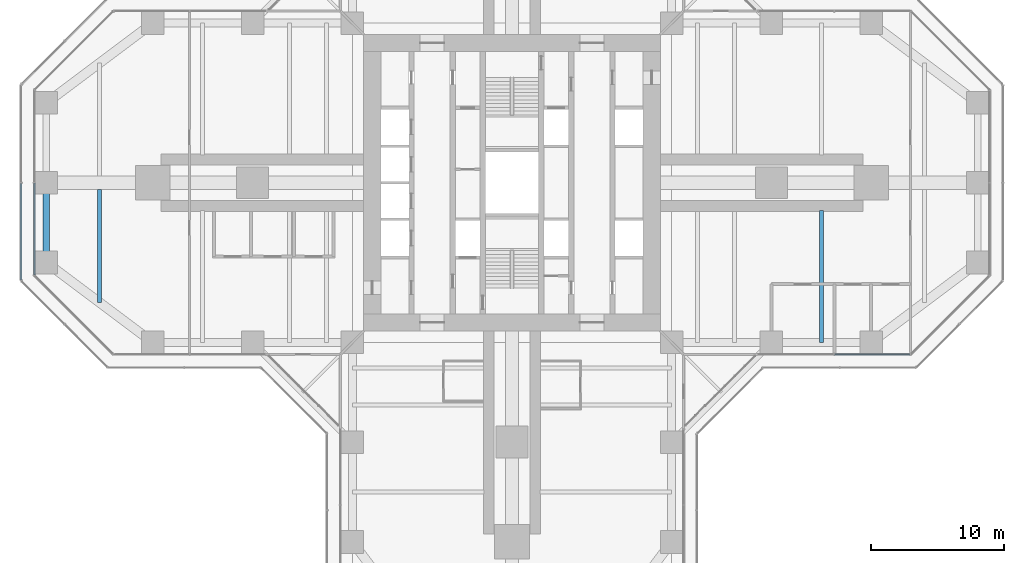
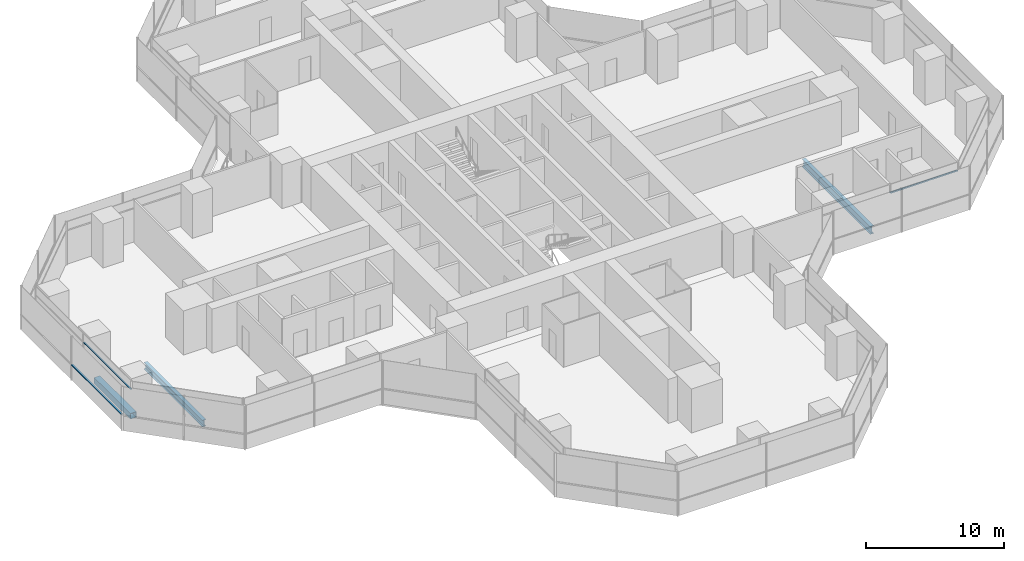
# One storey, part 7 of 22: 3 beams, 3 members, 3 elements without a shape of their own.
"""IFC4 building model written with IfcOpenShell, lengths in metres."""

from ifc_helpers import new_model, si_unit, direction, frame, origin, origin_2d, place, context, subcontext, project, spatial, rectangle, hollow_rectangle, i_section, extrude, material, material_profile, profile_set, type_object, element, aggregate, save


model = new_model("IFC4")

# Units and contexts
model_context = context("Model", 3, precision=1e-05, world=origin(), true_north=direction((0.0, 1.0)))
body_context = subcontext(model_context, "Body", "Model", "MODEL_VIEW")
ifc_project = project(units=[si_unit("LENGTHUNIT", "METRE"), si_unit("AREAUNIT", "SQUARE_METRE"), si_unit("VOLUMEUNIT", "CUBIC_METRE"), si_unit("PLANEANGLEUNIT", "RADIAN"), si_unit("MASSUNIT", "GRAM", prefix="KILO")], contexts=[model_context])

# Site, building, storey
site_placement = place(None, origin())
site = spatial("IfcSite", under=ifc_project, at=site_placement, CompositionType="ELEMENT")
building_placement = place(site_placement, origin())
building = spatial("IfcBuilding", under=site, at=building_placement, Name="Mizan Broadcast Tower", CompositionType="ELEMENT")
storey_placement = place(building_placement, frame((0.0, 0.0, 43.5)))
storey = spatial("IfcBuildingStorey", under=building, at=storey_placement, Name="L07", CompositionType="ELEMENT", Elevation=43.5)

# Beam
ifc_material_1 = material(Name="Steel S355", Category="steel")
ifc_material_profile_1 = material_profile(ifc_material_1, hollow_rectangle(XDim=0.5, YDim=0.5, WallThickness=0.030029296875, at=origin_2d()), Name="BOX 500x500x30")
ifc_profile_set_1 = profile_set([ifc_material_profile_1], Name="Steel S355")
beam_type_1 = type_object("IfcBeamType", Name="EDGE BEAM BOX 500x500x30", PredefinedType="SPANDREL", material=ifc_profile_set_1)
beam_1_placement = place(storey_placement, frame((-35.0, -5.639892578125, -0.3798828125), z_axis=(0.0, 1.0, 0.0), x_axis=(-1.0, 0.0, 0.0)))
element("IfcBeam", 1, at=beam_1_placement, inside=storey, type_object=beam_type_1, Name="Edge beam BOX 500x500x30 L07 west arm", PredefinedType="SPANDREL", context=body_context, shape_type="SweptSolid", body=[
    extrude(hollow_rectangle(XDim=0.5, YDim=0.5, WallThickness=0.030029296875, at=origin_2d()), origin(), (0.0, 0.0, 1.0), 5.27978515625),
])

# Curtain wall, member
ifc_material_2 = material(Name="Aluminium framed glazing", Category="aluminium")
curtain_wall_type_1 = type_object("IfcCurtainWallType", Name="INNER SKIN LOW ZONE", PredefinedType="USERDEFINED", material=ifc_material_2)
curtain_wall_1_placement = place(storey_placement, origin())
curtain_wall_1 = element("IfcCurtainWall", 2, at=curtain_wall_1_placement, inside=storey, type_object=curtain_wall_type_1, Name="Inner skin low zone L07 E side", ObjectType="INNER SKIN LOW ZONE", PredefinedType="USERDEFINED")
ifc_material_3 = material(Name="Aluminium, pale anodised", Category="aluminium")
ifc_material_profile_2 = material_profile(ifc_material_3, rectangle(XDim=0.1201171875, YDim=0.06005859375, at=origin_2d()), Name="TRANSOM 120x60")
ifc_profile_set_2 = profile_set([ifc_material_profile_2], Name="Aluminium, pale anodised")
member_type_1 = type_object("IfcMemberType", Name="INNER SKIN TRANSOM 60x120", PredefinedType="USERDEFINED", material=ifc_profile_set_2)
member_1_placement = place(storey_placement, frame((24.25927734375, -12.89990234375, 3.030029296875), z_axis=(1.0, 0.0, 0.0), x_axis=(0.0, 1.0, 0.0)))
member_1 = element("IfcMember", 3, at=member_1_placement, type_object=member_type_1, Name="Inner skin low zone L07 E side transom 2.1", ObjectType="TRANSOM", PredefinedType="USERDEFINED", context=body_context, shape_type="SweptSolid", body=[
    extrude(rectangle(XDim=0.1201171875, YDim=0.06005859375, at=origin_2d()), origin(), (0.0, 0.0, 1.0), 5.639404296875),
])
aggregate(curtain_wall_1, [member_1])

curtain_wall_2_placement = place(storey_placement, origin())
curtain_wall_2 = element("IfcCurtainWall", 4, at=curtain_wall_2_placement, inside=storey, type_object=curtain_wall_type_1, Name="Inner skin low zone L07 W end", ObjectType="INNER SKIN LOW ZONE", PredefinedType="USERDEFINED")
member_2_placement = place(storey_placement, frame((-35.89990234375, -0.030029296875, 3.030029296875), z_axis=(0.0, -1.0, 0.0), x_axis=(1.0, 0.0, 0.0)))
member_2 = element("IfcMember", 5, at=member_2_placement, type_object=member_type_1, Name="Inner skin low zone L07 W end transom 2.1", ObjectType="TRANSOM", PredefinedType="USERDEFINED", context=body_context, shape_type="SweptSolid", body=[
    extrude(rectangle(XDim=0.1201171875, YDim=0.06005859375, at=origin_2d()), origin(), (0.0, 0.0, 1.0), 6.86865234375),
])
aggregate(curtain_wall_2, [member_2])

ifc_material_4 = material(Name="Aluminium framed glazing", Category="aluminium")
curtain_wall_type_2 = type_object("IfcCurtainWallType", Name="OUTER SKIN", PredefinedType="USERDEFINED", material=ifc_material_4)
curtain_wall_3_placement = place(storey_placement, origin())
curtain_wall_3 = element("IfcCurtainWall", 6, at=curtain_wall_3_placement, inside=storey, type_object=curtain_wall_type_2, Name="Outer skin L07 W end", ObjectType="OUTER SKIN", PredefinedType="USERDEFINED")
ifc_material_5 = material(Name="Aluminium, pale anodised", Category="aluminium")
ifc_material_profile_3 = material_profile(ifc_material_5, rectangle(XDim=0.159912109375, YDim=0.06005859375, at=origin_2d()), Name="TRANSOM 160x60")
ifc_profile_set_3 = profile_set([ifc_material_profile_3], Name="Aluminium, pale anodised")
member_type_2 = type_object("IfcMemberType", Name="OUTER SKIN TRANSOM 60x160", PredefinedType="USERDEFINED", material=ifc_profile_set_3)
member_3_placement = place(storey_placement, frame((-36.89990234375, -0.0400390625, 1.39990234375), z_axis=(0.0, -1.0, 0.0), x_axis=(1.0, 0.0, 0.0)))
member_3 = element("IfcMember", 7, at=member_3_placement, type_object=member_type_2, Name="Outer skin L07 W end transom 2.1", ObjectType="TRANSOM", PredefinedType="USERDEFINED", context=body_context, shape_type="SweptSolid", body=[
    extrude(rectangle(XDim=0.159912109375, YDim=0.06005859375, at=origin_2d()), origin(), (0.0, 0.0, 1.0), 7.252685546875),
])
aggregate(curtain_wall_3, [member_3])

# Beams
ifc_material_6 = material(Name="Steel S355", Category="steel")
ifc_material_profile_4 = material_profile(ifc_material_6, i_section(OverallWidth=0.300048828125, OverallDepth=0.590087890625, WebThickness=0.012939453125, FlangeThickness=0.02490234375, FilletRadius=0.027099609375, at=origin_2d()), Name="HEA 600")
ifc_profile_set_4 = profile_set([ifc_material_profile_4], Name="Steel S355")
beam_type_2 = type_object("IfcBeamType", Name="SECONDARY BEAM HEA 600", PredefinedType="JOIST", material=ifc_profile_set_4)
beam_2_placement = place(storey_placement, frame((-31.0, -9.0, -0.425048828125), z_axis=(0.0, 1.0, 0.0), x_axis=(-1.0, 0.0, 0.0)))
element("IfcBeam", 8, at=beam_2_placement, inside=storey, type_object=beam_type_2, Name="Secondary beam HEA 600 L07 west arm", PredefinedType="JOIST", context=body_context, shape_type="SweptSolid", body=[
    extrude(i_section(OverallWidth=0.300048828125, OverallDepth=0.590087890625, WebThickness=0.012939453125, FlangeThickness=0.02490234375, FilletRadius=0.027099609375, at=origin_2d()), origin(), (0.0, 0.0, 1.0), 8.5),
])
ifc_material_7 = material(Name="Steel S355", Category="steel")
ifc_material_profile_5 = material_profile(ifc_material_7, i_section(OverallWidth=0.300048828125, OverallDepth=0.68994140625, WebThickness=0.014404296875, FlangeThickness=0.027099609375, FilletRadius=0.027099609375, at=origin_2d()), Name="HEA 700")
ifc_profile_set_5 = profile_set([ifc_material_profile_5], Name="Steel S355")
beam_type_3 = type_object("IfcBeamType", Name="SECONDARY BEAM HEA 700", PredefinedType="JOIST", material=ifc_profile_set_5)
beam_3_placement = place(storey_placement, frame((23.25, -12.0, -0.47509765625), z_axis=(0.0, 1.0, 0.0), x_axis=(-1.0, 0.0, 0.0)))
element("IfcBeam", 9, at=beam_3_placement, inside=storey, type_object=beam_type_3, Name="Secondary beam HEA 700 L07 east arm", PredefinedType="JOIST", context=body_context, shape_type="SweptSolid", body=[
    extrude(i_section(OverallWidth=0.300048828125, OverallDepth=0.68994140625, WebThickness=0.014404296875, FlangeThickness=0.027099609375, FilletRadius=0.027099609375, at=origin_2d()), origin(), (0.0, 0.0, 1.0), 9.89990234375),
])

save(model, "model.ifc")
